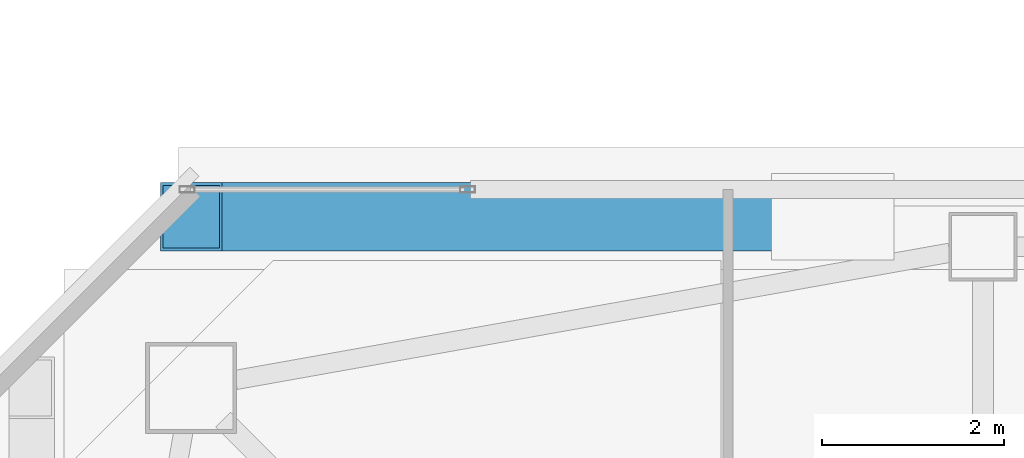
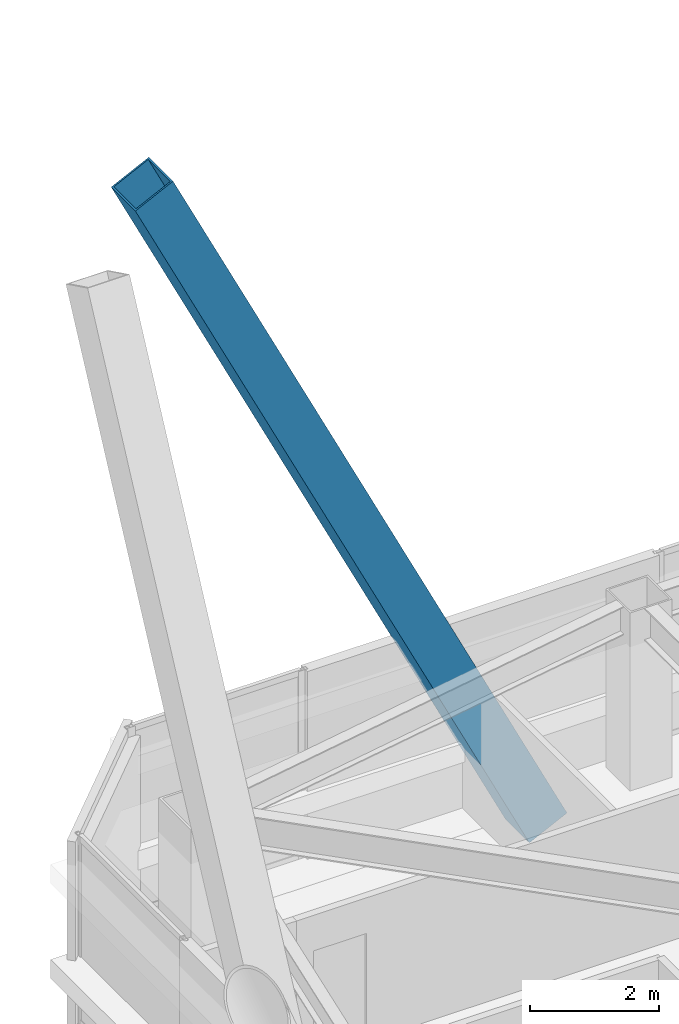
# One storey, part 20 of 56: 1 member.
"""IFC4 building model written with IfcOpenShell, lengths in metres."""

import ifcopenshell
import ifcopenshell.guid

model = None  # the IFC model being written
_history = None  # IfcOwnerHistory: only IFC2X3 demands one
_inside = {}  # id of a spatial element -> (the spatial element, [elements in it])
_under = {}  # id of a project, library or spatial element -> (it, [spatial elements below it])
_declared = {}  # id of a project -> (the project, [libraries it declares])
_typed = {}  # id of a type object -> (the type object, [elements of that type])
_made_of = {}  # id of a material, layer set ... -> (it, [elements and type objects made of it])


def new_model(schema):
    """Start an empty IFC model of exactly this schema.

    Asked for "IFC4X3", IfcOpenShell would pick the latest addendum, in which some entities
    have other attributes; the version numbers below select the first issue.
    IFC2X3 requires an IfcOwnerHistory on every rooted entity: one is made here for all.
    """
    global model, _history
    if schema == "IFC4X3":
        model = ifcopenshell.file(schema_version=(4, 3, 0, 0))
    else:
        model = ifcopenshell.file(schema=schema)
    _inside.clear()
    _under.clear()
    _declared.clear()
    _typed.clear()
    _made_of.clear()
    _history = None
    if model.schema == "IFC2X3":
        org = make("IfcOrganization", Name="unknown")
        user = make(
            "IfcPersonAndOrganization",
            ThePerson=make("IfcPerson", FamilyName="unknown"),
            TheOrganization=org,
        )
        app = make(
            "IfcApplication",
            ApplicationDeveloper=org,
            Version="unknown",
            ApplicationFullName="unknown",
            ApplicationIdentifier="unknown",
        )
        _history = make(
            "IfcOwnerHistory",
            OwningUser=user,
            OwningApplication=app,
            ChangeAction="ADDED",
            CreationDate=0,
        )
    return model


def make(cls, **values):
    """One entity of the class cls with the attributes given. An attribute that is None is left unset."""
    return model.create_entity(
        cls, **{name: value for name, value in values.items() if value is not None}
    )


def rooted(cls, **values):
    """An entity with a GlobalId (a new one), such as an element, a storey or a relation."""
    return make(cls, GlobalId=ifcopenshell.guid.new(), OwnerHistory=_history, **values)


def si_unit(unit_type, name, prefix=None):
    """IfcSIUnit, for example si_unit("LENGTHUNIT", "METRE", prefix="MILLI")."""
    return make("IfcSIUnit", UnitType=unit_type, Prefix=prefix, Name=name)


def assignment(units):
    """IfcUnitAssignment: the units of a project."""
    return None if units is None else make("IfcUnitAssignment", Units=units)


def point(xyz):
    """IfcCartesianPoint."""
    return None if xyz is None else make("IfcCartesianPoint", Coordinates=xyz)


def direction(xyz):
    """IfcDirection."""
    return None if xyz is None else make("IfcDirection", DirectionRatios=xyz)


def frame(location, z_axis=None, x_axis=None):
    """IfcAxis2Placement3D, a coordinate frame: its origin and axes. An axis left out is left unset."""
    return make(
        "IfcAxis2Placement3D",
        Location=point(location),
        Axis=direction(z_axis),
        RefDirection=direction(x_axis),
    )


def frame_2d(location, x_axis=None):
    """IfcAxis2Placement2D, a coordinate frame in the plane: its origin and x axis."""
    return make(
        "IfcAxis2Placement2D", Location=point(location), RefDirection=direction(x_axis)
    )


def origin():
    """The frame at (0, 0, 0) with its axes left unset."""
    return frame((0.0, 0.0, 0.0))


def origin_2d():
    """The frame at (0, 0) in the plane with its x axis left unset."""
    return frame_2d((0.0, 0.0))


def place(relative_to, where):
    """IfcLocalPlacement: puts the frame where relative to a parent placement (None: the world)."""
    return make(
        "IfcLocalPlacement", PlacementRelTo=relative_to, RelativePlacement=where
    )


def context(
    kind, dimensions, precision=None, world=None, true_north=None, identifier=None
):
    """IfcGeometricRepresentationContext, for example the 3D "Model" context."""
    return make(
        "IfcGeometricRepresentationContext",
        ContextIdentifier=identifier,
        ContextType=kind,
        CoordinateSpaceDimension=dimensions,
        Precision=precision,
        WorldCoordinateSystem=world,
        TrueNorth=true_north,
    )


def subcontext(parent, identifier, kind, view, scale=None):
    """IfcGeometricRepresentationSubContext, for example "Body" below "Model"."""
    return make(
        "IfcGeometricRepresentationSubContext",
        ContextIdentifier=identifier,
        ContextType=kind,
        ParentContext=parent,
        TargetScale=scale,
        TargetView=view,
    )


def project(units=None, contexts=None):
    """IfcProject with its units and contexts."""
    return rooted(
        "IfcProject",
        Name="project",
        RepresentationContexts=contexts,
        UnitsInContext=assignment(units),
    )


def spatial(cls, under=None, at=None, **own):
    """A site, building, storey or space (cls), placed at a placement, below another one or the project."""
    s = rooted(cls, ObjectPlacement=at, **own)
    if under is not None:
        _under.setdefault(under.id(), (under, []))[1].append(s)
    return s


def profile(cls, at=None, kind="AREA", **sizes):
    """A parametric profile (cls). Its sizes go by their IFC names, for example OverallWidth=200.0."""
    return make(cls, ProfileType=kind, Position=at, **sizes)


def hollow_rectangle(**sizes):
    """IfcRectangleHollowProfileDef."""
    return profile("IfcRectangleHollowProfileDef", **sizes)


def extrude(swept, where, along, depth):
    """IfcExtrudedAreaSolid: the profile swept, set in the frame where, extruded along a direction by depth."""
    return make(
        "IfcExtrudedAreaSolid",
        SweptArea=swept,
        Position=where,
        ExtrudedDirection=direction(along),
        Depth=depth,
    )


def shape(context_of_items, identifier, shape_type, items):
    """IfcShapeRepresentation: the items that make up one representation, for example the "Body"."""
    return make(
        "IfcShapeRepresentation",
        ContextOfItems=context_of_items,
        RepresentationIdentifier=identifier,
        RepresentationType=shape_type,
        Items=items,
    )


def material(Name=None, Category=None):
    """IfcMaterial."""
    return make("IfcMaterial", Name=Name, Category=Category)


def material_profile(
    of_material, cross_section, Name=None, Category=None, Priority=None
):
    """IfcMaterialProfile: a cross section and its material."""
    return make(
        "IfcMaterialProfile",
        Name=Name,
        Material=of_material,
        Profile=cross_section,
        Priority=Priority,
        Category=Category,
    )


def profile_set(profiles, Name=None, composite=None):
    """IfcMaterialProfileSet."""
    return make(
        "IfcMaterialProfileSet",
        Name=Name,
        MaterialProfiles=profiles,
        CompositeProfile=composite,
    )


def made_of(thing, what):
    """Note that an element or type object is made of a material, layer set ...; save() writes the relation."""
    if what is not None:
        _made_of.setdefault(what.id(), (what, []))[1].append(thing)
    return thing


def type_object(cls, material=None, **own):
    """A type object (cls), such as IfcWallType, which elements share."""
    return made_of(rooted(cls, **own), material)


def element(
    cls,
    number,
    at=None,
    inside=None,
    cuts=None,
    type_object=None,
    material=None,
    context=None,
    identifier="Body",
    shape_type=None,
    held_by="IfcProductDefinitionShape",
    body=None,
    shapes=None,
    **own,
):
    """One element of the class cls, such as IfcWall. Its Tag is "e" and its number.

    at: its placement. inside: the storey or other place that contains it. cuts: it is an
    opening in that element (IfcRelVoidsElement). A single representation is given by context,
    identifier, shape_type and body (its items); several are given by shapes. held_by: the class
    of the entity that holds the representations. save() writes the other relations.
    """
    e = rooted(cls, Tag="e%d" % number, ObjectPlacement=at, **own)
    if body is not None:
        shapes = [shape(context, identifier, shape_type, body)]
    if shapes is not None:
        e.Representation = make(held_by, Representations=shapes)
    if inside is not None:
        _inside.setdefault(inside.id(), (inside, []))[1].append(e)
    if cuts is not None:
        rooted(
            "IfcRelVoidsElement", RelatingBuildingElement=cuts, RelatedOpeningElement=e
        )
    if type_object is not None:
        _typed.setdefault(type_object.id(), (type_object, []))[1].append(e)
    return made_of(e, material)


def aggregate(whole, parts):
    """IfcRelAggregates: a whole, such as a stair, and the parts it consists of."""
    return rooted("IfcRelAggregates", RelatingObject=whole, RelatedObjects=parts)


def save(model, path):
    """Write the relations noted so far, then the file.

    IfcRelAggregates (storeys below a building ...), IfcRelContainedInSpatialStructure (elements
    in a storey), IfcRelDefinesByType, IfcRelAssociatesMaterial and IfcRelDeclares: one each for
    every whole, place, type object, material and project.
    """
    for whole, parts in _under.values():
        aggregate(whole, parts)
    for where, things in _inside.values():
        rooted(
            "IfcRelContainedInSpatialStructure",
            RelatedElements=things,
            RelatingStructure=where,
        )
    for kind, things in _typed.values():
        rooted("IfcRelDefinesByType", RelatedObjects=things, RelatingType=kind)
    for what, things in _made_of.values():
        rooted("IfcRelAssociatesMaterial", RelatedObjects=things, RelatingMaterial=what)
    for by, libraries in _declared.values():
        rooted("IfcRelDeclares", RelatingContext=by, RelatedDefinitions=libraries)
    model.write(path)


model = new_model("IFC4")

# Units and contexts
model_context = context("Model", 3, precision=1e-05, world=origin(), true_north=direction((0.0, 1.0)))
body_context = subcontext(model_context, "Body", "Model", "MODEL_VIEW")
ifc_project = project(units=[si_unit("LENGTHUNIT", "METRE"), si_unit("AREAUNIT", "SQUARE_METRE"), si_unit("VOLUMEUNIT", "CUBIC_METRE"), si_unit("PLANEANGLEUNIT", "RADIAN"), si_unit("MASSUNIT", "GRAM", prefix="KILO")], contexts=[model_context])

# Site, building, storey
site_placement = place(None, origin())
site = spatial("IfcSite", under=ifc_project, at=site_placement, CompositionType="ELEMENT")
building_placement = place(site_placement, origin())
building = spatial("IfcBuilding", under=site, at=building_placement, Name="Tashvorn Skyway Center", CompositionType="ELEMENT")
storey_placement = place(building_placement, frame((0.0, 0.0, 218.39990234375)))
storey = spatial("IfcBuildingStorey", under=building, at=storey_placement, Name="L59", CompositionType="ELEMENT", Elevation=218.39990234375)

# Member
ifc_material = material(Name="Steel ASTM A572 Grade 50", Category="steel")
ifc_material_profile = material_profile(ifc_material, hollow_rectangle(XDim=0.75, YDim=0.75, WallThickness=0.031982421875, at=origin_2d()), Name="BOX750x750x32")
ifc_profile_set = profile_set([ifc_material_profile], Name="Steel ASTM A572 Grade 50")
member_type = type_object("IfcMemberType", Name="MEM-MB-750", PredefinedType="BRACE", material=ifc_profile_set)
member_placement = place(storey_placement, frame((34.949951171875, 47.97998046875, -0.449951171875), z_axis=(-0.439219679919, 0.0, 0.898379692987), x_axis=(0.0, -1.0, 0.0)))
element("IfcMember", 1, at=member_placement, inside=storey, type_object=member_type, Name="Tower 1 Zone 5 N Chevron Mega-Brace R2", PredefinedType="BRACE", context=body_context, shape_type="SweptSolid", body=[
    extrude(hollow_rectangle(XDim=0.75, YDim=0.75, WallThickness=0.031982421875, at=origin_2d()), origin(), (0.0, 0.0, 1.0), 16.05126953125),
])

save(model, "model.ifc")
